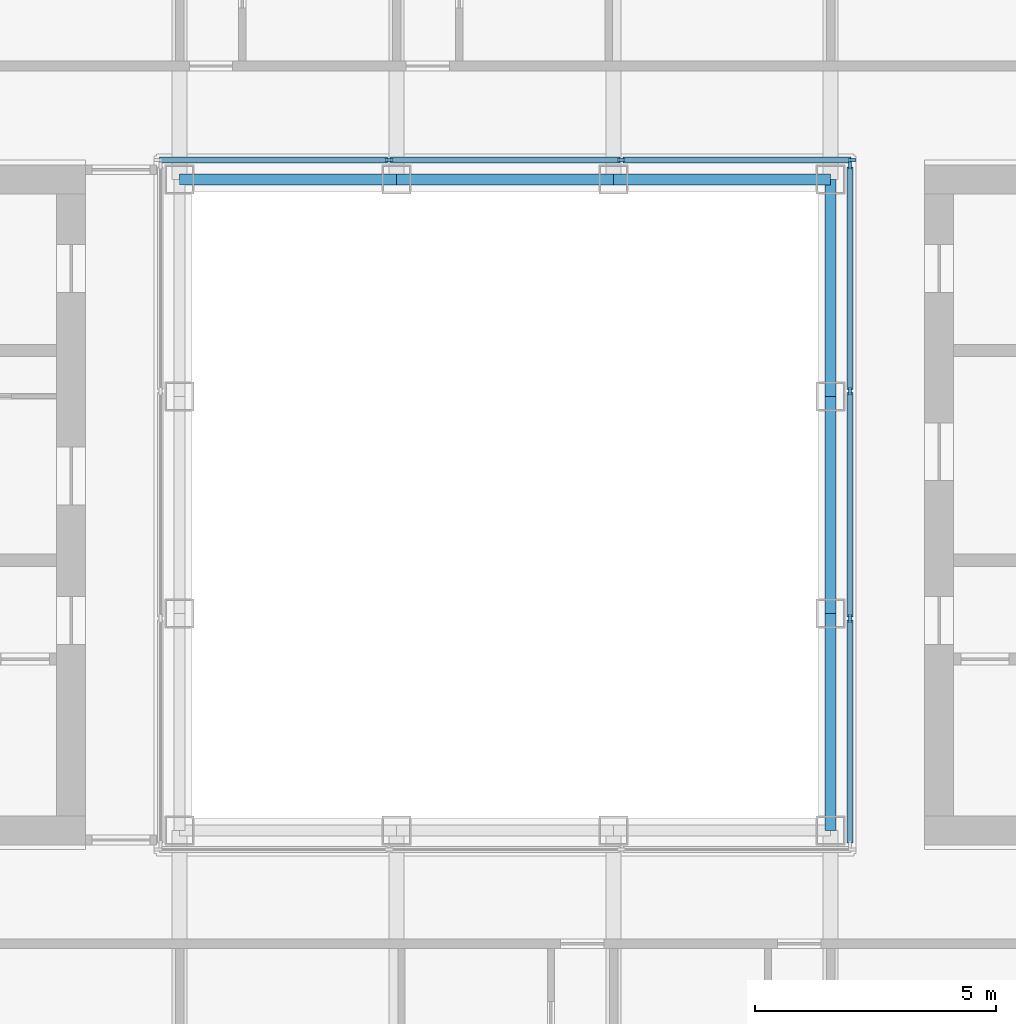
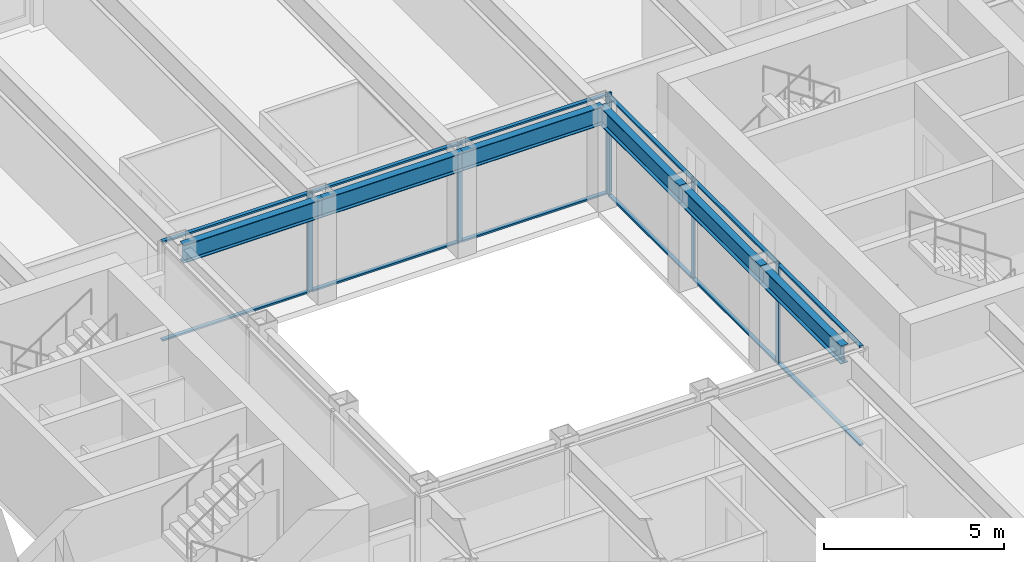
# One storey, part 5 of 17: 18 members, 6 beams, 2 elements without a shape of their own.
"""IFC4 building model written with IfcOpenShell, lengths in metres."""

from ifc_helpers import new_model, si_unit, direction, frame, origin, origin_2d, place, context, subcontext, project, spatial, rectangle, i_section, extrude, material, material_profile, profile_set, type_object, element, aggregate, save


model = new_model("IFC4")

# Units and contexts
model_context = context("Model", 3, precision=1e-05, world=origin(), true_north=direction((0.0, 1.0)))
body_context = subcontext(model_context, "Body", "Model", "MODEL_VIEW")
ifc_project = project(units=[si_unit("LENGTHUNIT", "METRE"), si_unit("AREAUNIT", "SQUARE_METRE"), si_unit("VOLUMEUNIT", "CUBIC_METRE"), si_unit("PLANEANGLEUNIT", "RADIAN"), si_unit("MASSUNIT", "GRAM", prefix="KILO")], contexts=[model_context])

# Site, building, storey
site_placement = place(None, origin())
site = spatial("IfcSite", under=ifc_project, at=site_placement, CompositionType="ELEMENT")
building_placement = place(site_placement, origin())
building = spatial("IfcBuilding", under=site, at=building_placement, Name="Msasa Ring Tower", CompositionType="ELEMENT")
storey_placement = place(building_placement, frame((0.0, 0.0, 165.199951171875)))
storey = spatial("IfcBuildingStorey", under=building, at=storey_placement, Name="L43", CompositionType="ELEMENT", Elevation=165.199951171875)

# Curtain wall, members
ifc_material_1 = material(Name="Aluminium curtain wall with clear glass", Category="aluminium")
curtain_wall_type = type_object("IfcCurtainWallType", Name="CW-W LIGHT WELL CURTAIN WALL", PredefinedType="NOTDEFINED", material=ifc_material_1)
curtain_wall_1_placement = place(storey_placement, origin())
curtain_wall_1 = element("IfcCurtainWall", 1, at=curtain_wall_1_placement, inside=storey, type_object=curtain_wall_type, Name="Light well curtain wall N L43", PredefinedType="NOTDEFINED")
ifc_material_2 = material(Name="Aluminium mullion", Category="aluminium")
ifc_material_profile_1 = material_profile(ifc_material_2, rectangle(XDim=0.06005859375, YDim=0.159912109375, at=origin_2d()), Name="AL 60x160")
ifc_profile_set_1 = profile_set([ifc_material_profile_1], Name="Aluminium mullion")
member_type_1 = type_object("IfcMemberType", Name="CW-W MULLION 60x160", PredefinedType="MULLION", material=ifc_profile_set_1)
member_1_placement = place(storey_placement, frame((-2.409912109375, 7.14990234375, 0.0), z_axis=(0.0, 0.0, 1.0), x_axis=(0.0, 1.0, 0.0)))
member_1 = element("IfcMember", 2, at=member_1_placement, type_object=member_type_1, Name="CW-W mullion 2", PredefinedType="MULLION", context=body_context, shape_type="SweptSolid", body=[
    extrude(rectangle(XDim=0.06005859375, YDim=0.159912109375, at=origin_2d()), origin(), (0.0, 0.0, 1.0), 3.400146484375),
])
member_2_placement = place(storey_placement, frame((2.409912109375, 7.14990234375, 0.0), z_axis=(0.0, 0.0, 1.0), x_axis=(0.0, 1.0, 0.0)))
member_2 = element("IfcMember", 3, at=member_2_placement, type_object=member_type_1, Name="CW-W mullion 3", PredefinedType="MULLION", context=body_context, shape_type="SweptSolid", body=[
    extrude(rectangle(XDim=0.06005859375, YDim=0.159912109375, at=origin_2d()), origin(), (0.0, 0.0, 1.0), 3.400146484375),
])
member_3_placement = place(storey_placement, frame((7.199951171875, 7.14990234375, 0.0), z_axis=(0.0, 0.0, 1.0), x_axis=(0.0, 1.0, 0.0)))
member_3 = element("IfcMember", 4, at=member_3_placement, type_object=member_type_1, Name="CW-W mullion 4", PredefinedType="MULLION", context=body_context, shape_type="SweptSolid", body=[
    extrude(rectangle(XDim=0.06005859375, YDim=0.159912109375, at=origin_2d()), origin(), (0.0, 0.0, 1.0), 3.400146484375),
])

curtain_wall_2_placement = place(storey_placement, origin())
curtain_wall_2 = element("IfcCurtainWall", 5, at=curtain_wall_2_placement, inside=storey, type_object=curtain_wall_type, Name="Light well curtain wall E L43", PredefinedType="NOTDEFINED")
member_4_placement = place(storey_placement, frame((7.14990234375, -2.356689453125, 0.0), z_axis=(0.0, 0.0, 1.0), x_axis=(-1.0, 0.0, 0.0)))
member_4 = element("IfcMember", 6, at=member_4_placement, type_object=member_type_1, Name="CW-W mullion 2", PredefinedType="MULLION", context=body_context, shape_type="SweptSolid", body=[
    extrude(rectangle(XDim=0.06005859375, YDim=0.159912109375, at=origin_2d()), origin(), (0.0, 0.0, 1.0), 3.400146484375),
])
member_5_placement = place(storey_placement, frame((7.14990234375, 2.356689453125, 0.0), z_axis=(0.0, 0.0, 1.0), x_axis=(-1.0, 0.0, 0.0)))
member_5 = element("IfcMember", 7, at=member_5_placement, type_object=member_type_1, Name="CW-W mullion 3", PredefinedType="MULLION", context=body_context, shape_type="SweptSolid", body=[
    extrude(rectangle(XDim=0.06005859375, YDim=0.159912109375, at=origin_2d()), origin(), (0.0, 0.0, 1.0), 3.400146484375),
])
member_6_placement = place(storey_placement, frame((7.14990234375, 7.0400390625, 0.0), z_axis=(0.0, 0.0, 1.0), x_axis=(-1.0, 0.0, 0.0)))
member_6 = element("IfcMember", 8, at=member_6_placement, type_object=member_type_1, Name="CW-W mullion 4", PredefinedType="MULLION", context=body_context, shape_type="SweptSolid", body=[
    extrude(rectangle(XDim=0.06005859375, YDim=0.159912109375, at=origin_2d()), origin(), (0.0, 0.0, 1.0), 3.400146484375),
])

# Member
ifc_material_3 = material(Name="Aluminium transom", Category="aluminium")
ifc_material_profile_2 = material_profile(ifc_material_3, rectangle(XDim=0.1201171875, YDim=0.06005859375, at=origin_2d()), Name="AL 60x120")
ifc_profile_set_2 = profile_set([ifc_material_profile_2], Name="Aluminium transom")
member_type_2 = type_object("IfcMemberType", Name="CW-W TRANSOM 60x120", PredefinedType="USERDEFINED", material=ifc_profile_set_2)
member_7_placement = place(storey_placement, frame((-7.169921875, 7.14990234375, 0.030029296875), z_axis=(1.0, 0.0, 0.0), x_axis=(0.0, 1.0, 0.0)))
member_7 = element("IfcMember", 9, at=member_7_placement, type_object=member_type_2, Name="CW-W transom 1.1", ObjectType="TRANSOM", PredefinedType="USERDEFINED", context=body_context, shape_type="SweptSolid", body=[
    extrude(rectangle(XDim=0.1201171875, YDim=0.06005859375, at=origin_2d()), origin(), (0.0, 0.0, 1.0), 4.72998046875),
])

member_8_placement = place(storey_placement, frame((-7.169921875, 7.14990234375, 3.3701171875), z_axis=(1.0, 0.0, 0.0), x_axis=(0.0, 1.0, 0.0)))
member_8 = element("IfcMember", 10, at=member_8_placement, type_object=member_type_2, Name="CW-W transom 1.2", ObjectType="TRANSOM", PredefinedType="USERDEFINED", context=body_context, shape_type="SweptSolid", body=[
    extrude(rectangle(XDim=0.1201171875, YDim=0.06005859375, at=origin_2d()), origin(), (0.0, 0.0, 1.0), 4.72998046875),
])

member_9_placement = place(storey_placement, frame((-2.3798828125, 7.14990234375, 0.030029296875), z_axis=(1.0, 0.0, 0.0), x_axis=(0.0, 1.0, 0.0)))
member_9 = element("IfcMember", 11, at=member_9_placement, type_object=member_type_2, Name="CW-W transom 2.1", ObjectType="TRANSOM", PredefinedType="USERDEFINED", context=body_context, shape_type="SweptSolid", body=[
    extrude(rectangle(XDim=0.1201171875, YDim=0.06005859375, at=origin_2d()), origin(), (0.0, 0.0, 1.0), 4.759765625),
])

member_10_placement = place(storey_placement, frame((-2.3798828125, 7.14990234375, 3.3701171875), z_axis=(1.0, 0.0, 0.0), x_axis=(0.0, 1.0, 0.0)))
member_10 = element("IfcMember", 12, at=member_10_placement, type_object=member_type_2, Name="CW-W transom 2.2", ObjectType="TRANSOM", PredefinedType="USERDEFINED", context=body_context, shape_type="SweptSolid", body=[
    extrude(rectangle(XDim=0.1201171875, YDim=0.06005859375, at=origin_2d()), origin(), (0.0, 0.0, 1.0), 4.759765625),
])

member_11_placement = place(storey_placement, frame((2.43994140625, 7.14990234375, 0.030029296875), z_axis=(1.0, 0.0, 0.0), x_axis=(0.0, 1.0, 0.0)))
member_11 = element("IfcMember", 13, at=member_11_placement, type_object=member_type_2, Name="CW-W transom 3.1", ObjectType="TRANSOM", PredefinedType="USERDEFINED", context=body_context, shape_type="SweptSolid", body=[
    extrude(rectangle(XDim=0.1201171875, YDim=0.06005859375, at=origin_2d()), origin(), (0.0, 0.0, 1.0), 4.72998046875),
])

member_12_placement = place(storey_placement, frame((2.43994140625, 7.14990234375, 3.3701171875), z_axis=(1.0, 0.0, 0.0), x_axis=(0.0, 1.0, 0.0)))
member_12 = element("IfcMember", 14, at=member_12_placement, type_object=member_type_2, Name="CW-W transom 3.2", ObjectType="TRANSOM", PredefinedType="USERDEFINED", context=body_context, shape_type="SweptSolid", body=[
    extrude(rectangle(XDim=0.1201171875, YDim=0.06005859375, at=origin_2d()), origin(), (0.0, 0.0, 1.0), 4.72998046875),
])

aggregate(curtain_wall_1, [member_1, member_2, member_3, member_7, member_8, member_9, member_10, member_11, member_12])

member_13_placement = place(storey_placement, frame((7.14990234375, -7.010009765625, 0.030029296875), z_axis=(0.0, 1.0, 0.0), x_axis=(-1.0, 0.0, 0.0)))
member_13 = element("IfcMember", 15, at=member_13_placement, type_object=member_type_2, Name="CW-W transom 1.1", ObjectType="TRANSOM", PredefinedType="USERDEFINED", context=body_context, shape_type="SweptSolid", body=[
    extrude(rectangle(XDim=0.1201171875, YDim=0.06005859375, at=origin_2d()), origin(), (0.0, 0.0, 1.0), 4.623291015625),
])

member_14_placement = place(storey_placement, frame((7.14990234375, -7.010009765625, 3.3701171875), z_axis=(0.0, 1.0, 0.0), x_axis=(-1.0, 0.0, 0.0)))
member_14 = element("IfcMember", 16, at=member_14_placement, type_object=member_type_2, Name="CW-W transom 1.2", ObjectType="TRANSOM", PredefinedType="USERDEFINED", context=body_context, shape_type="SweptSolid", body=[
    extrude(rectangle(XDim=0.1201171875, YDim=0.06005859375, at=origin_2d()), origin(), (0.0, 0.0, 1.0), 4.623291015625),
])

member_15_placement = place(storey_placement, frame((7.14990234375, -2.32666015625, 0.030029296875), z_axis=(0.0, 1.0, 0.0), x_axis=(-1.0, 0.0, 0.0)))
member_15 = element("IfcMember", 17, at=member_15_placement, type_object=member_type_2, Name="CW-W transom 2.1", ObjectType="TRANSOM", PredefinedType="USERDEFINED", context=body_context, shape_type="SweptSolid", body=[
    extrude(rectangle(XDim=0.1201171875, YDim=0.06005859375, at=origin_2d()), origin(), (0.0, 0.0, 1.0), 4.6533203125),
])

member_16_placement = place(storey_placement, frame((7.14990234375, -2.32666015625, 3.3701171875), z_axis=(0.0, 1.0, 0.0), x_axis=(-1.0, 0.0, 0.0)))
member_16 = element("IfcMember", 18, at=member_16_placement, type_object=member_type_2, Name="CW-W transom 2.2", ObjectType="TRANSOM", PredefinedType="USERDEFINED", context=body_context, shape_type="SweptSolid", body=[
    extrude(rectangle(XDim=0.1201171875, YDim=0.06005859375, at=origin_2d()), origin(), (0.0, 0.0, 1.0), 4.6533203125),
])

member_17_placement = place(storey_placement, frame((7.14990234375, 2.38671875, 0.030029296875), z_axis=(0.0, 1.0, 0.0), x_axis=(-1.0, 0.0, 0.0)))
member_17 = element("IfcMember", 19, at=member_17_placement, type_object=member_type_2, Name="CW-W transom 3.1", ObjectType="TRANSOM", PredefinedType="USERDEFINED", context=body_context, shape_type="SweptSolid", body=[
    extrude(rectangle(XDim=0.1201171875, YDim=0.06005859375, at=origin_2d()), origin(), (0.0, 0.0, 1.0), 4.623291015625),
])

member_18_placement = place(storey_placement, frame((7.14990234375, 2.38671875, 3.3701171875), z_axis=(0.0, 1.0, 0.0), x_axis=(-1.0, 0.0, 0.0)))
member_18 = element("IfcMember", 20, at=member_18_placement, type_object=member_type_2, Name="CW-W transom 3.2", ObjectType="TRANSOM", PredefinedType="USERDEFINED", context=body_context, shape_type="SweptSolid", body=[
    extrude(rectangle(XDim=0.1201171875, YDim=0.06005859375, at=origin_2d()), origin(), (0.0, 0.0, 1.0), 4.623291015625),
])

aggregate(curtain_wall_2, [member_4, member_5, member_6, member_13, member_14, member_15, member_16, member_17, member_18])

# Beams
ifc_material_4 = material(Name="Steel S355", Category="steel")
ifc_material_profile_3 = material_profile(ifc_material_4, i_section(OverallWidth=0.230224609375, OverallDepth=0.6171875, WebThickness=0.01318359375, FlangeThickness=0.022216796875, FilletRadius=0.0126953125, at=origin_2d()), Name="UB 610x229x140")
ifc_profile_set_3 = profile_set([ifc_material_profile_3], Name="Steel S355")
beam_type = type_object("IfcBeamType", Name="RB1 UB 610x229x140", PredefinedType="BEAM", material=ifc_profile_set_3)
for number, where, z_axis, x_axis, name in (
    (21, (6.75, -6.75, 3.091552734375), (0.0, 1.0, 0.0), (-1.0, 0.0, 0.0), "Inner ring beam IR+6.75-6.75 under L44"),
    (22, (6.75, -2.25, 3.091552734375), (0.0, 1.0, 0.0), (-1.0, 0.0, 0.0), "Inner ring beam IR+6.75-2.25 under L44"),
    (23, (6.75, 2.25, 3.091552734375), (0.0, 1.0, 0.0), (-1.0, 0.0, 0.0), "Inner ring beam IR+6.75+2.25 under L44"),
    (24, (6.75, 6.75, 3.091552734375), (-1.0, 0.0, 0.0), (0.0, -1.0, 0.0), "Inner ring beam IR+6.75+6.75 under L44"),
    (25, (2.25, 6.75, 3.091552734375), (-1.0, 0.0, 0.0), (0.0, -1.0, 0.0), "Inner ring beam IR+2.25+6.75 under L44"),
    (26, (-2.25, 6.75, 3.091552734375), (-1.0, 0.0, 0.0), (0.0, -1.0, 0.0), "Inner ring beam IR-2.25+6.75 under L44"),
):
    element("IfcBeam", number, at=place(storey_placement, frame(where, z_axis=z_axis, x_axis=x_axis)), inside=storey, type_object=beam_type, Name=name, PredefinedType="BEAM", context=body_context, shape_type="SweptSolid", body=[
        extrude(i_section(OverallWidth=0.230224609375, OverallDepth=0.6171875, WebThickness=0.01318359375, FlangeThickness=0.022216796875, FilletRadius=0.0126953125, at=origin_2d()), origin(), (0.0, 0.0, 1.0), 4.5),
    ])

save(model, "model.ifc")
